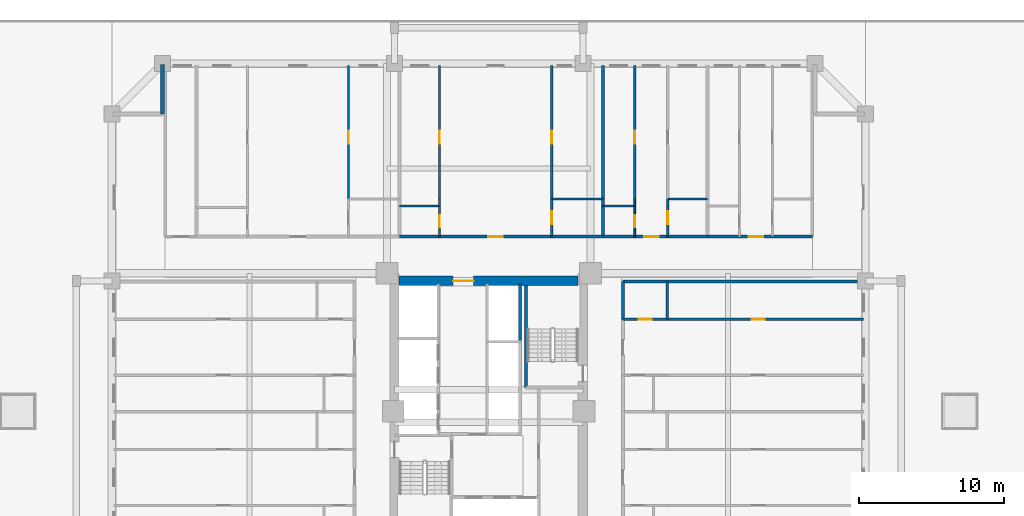
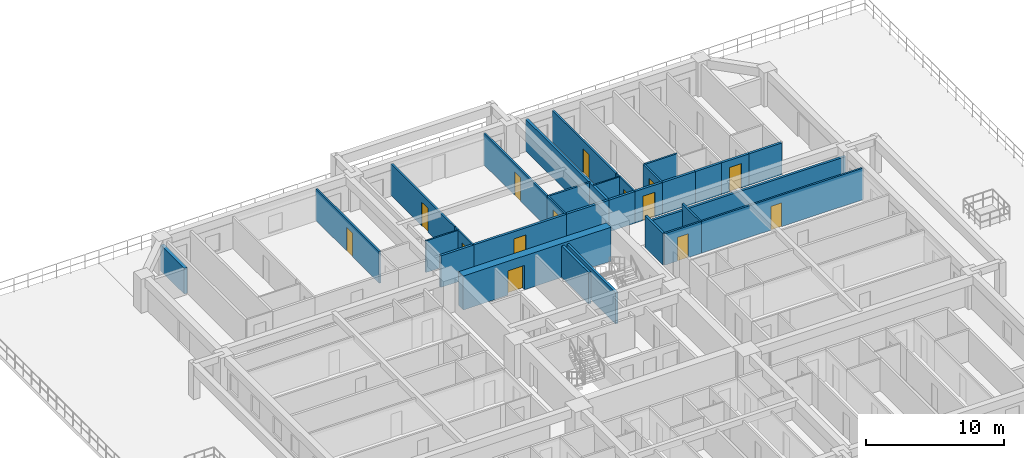
# One storey, part 8 of 19: 33 walls, 14 doors, 14 openings.
"""IFC4 building model written with IfcOpenShell, lengths in metres."""

from ifc_helpers import new_model, si_unit, direction, frame, frame_2d, origin, place, context, subcontext, project, spatial, rectangle, extrude, source, transform, mapped, material, layer, layer_set, type_object, element, fill, save


model = new_model("IFC4")

# Units and contexts
model_context = context("Model", 3, precision=1e-05, world=origin(), true_north=direction((0.0, 1.0)))
body_context = subcontext(model_context, "Body", "Model", "MODEL_VIEW")
ifc_project = project(units=[si_unit("LENGTHUNIT", "METRE"), si_unit("AREAUNIT", "SQUARE_METRE"), si_unit("VOLUMEUNIT", "CUBIC_METRE"), si_unit("PLANEANGLEUNIT", "RADIAN"), si_unit("MASSUNIT", "GRAM", prefix="KILO")], contexts=[model_context])

# Site, building, storey
site_placement = place(None, origin())
site = spatial("IfcSite", under=ifc_project, at=site_placement, CompositionType="ELEMENT")
building_placement = place(site_placement, origin())
building = spatial("IfcBuilding", under=site, at=building_placement, Name="Saelheon Loggia Tower", CompositionType="ELEMENT")
storey_placement = place(building_placement, frame((0.0, 0.0, 19.39990234375)))
storey = spatial("IfcBuildingStorey", under=building, at=storey_placement, Name="L05", CompositionType="ELEMENT", Elevation=19.39990234375)

# Wall, opening, door
ifc_material_1 = material(Name="Concrete C60/75", Category="concrete")
ifc_layer_1 = layer(ifc_material_1, 0.64990234375)
ifc_layer_set_1 = layer_set([ifc_layer_1], Name="Concrete C60/75")
wall_type_1 = type_object("IfcWallType", Name="Wall_CoreShear_650", PredefinedType="SHEAR", material=ifc_layer_set_1)
wall_1_placement = place(storey_placement, frame((31.824951171875, 36.0, 0.0), z_axis=(0.0, 0.0, 1.0), x_axis=(1.0, 0.0, 0.0)))
wall_1 = element("IfcWall", 1, at=wall_1_placement, inside=storey, type_object=wall_type_1, Name="L05 Core Shear Wall North", PredefinedType="SHEAR", context=body_context, shape_type="SweptSolid", body=[
    extrude(rectangle(XDim=12.35009765625, YDim=0.64990234375, at=frame_2d((6.175048828125, 0.0))), origin(), (0.0, 0.0, 1.0), 3.0),
])
opening_1_placement = place(wall_1_placement, frame((5.125, 0.0, 0.0), z_axis=(0.0, 0.0, 1.0), x_axis=(-1.0, 0.0, 0.0)))
opening_1 = element("IfcOpeningElement", 2, at=opening_1_placement, cuts=wall_1, Name="Opening D-FD2L", PredefinedType="OPENING", context=body_context, shape_type="SweptSolid", body=[
    extrude(rectangle(XDim=1.39990234375, YDim=2.14990234375, at=frame_2d((0.699951171875, 1.074951171875))), frame((0.0, 0.3369140625, 0.0), z_axis=(0.0, -1.0, 0.0), x_axis=(1.0, 0.0, 0.0)), (0.0, 0.0, 1.0), 0.673828125),
])
ifc_material_2 = material(Name="Galvanised Steel Glazed Lobby Fire Door", Category="steel")
door_type_1 = type_object("IfcDoorType", Name="Door_Fire_FD60_1400", OperationType="NOTDEFINED", PredefinedType="DOOR", material=ifc_material_2)
shared_shape_1 = source(origin(), body_context, "Body", "SweptSolid", [
    extrude(rectangle(XDim=1.39990234375, YDim=2.14990234375, at=frame_2d((0.699951171875, 1.074951171875))), frame((0.0, 0.02490234375, 0.0), z_axis=(0.0, -1.0, 0.0), x_axis=(1.0, 0.0, 0.0)), (0.0, 0.0, 1.0), 0.050048828125),
])
door_1_placement = place(opening_1_placement, origin())
door_1 = element("IfcDoor", 3, at=door_1_placement, inside=storey, type_object=door_type_1, Name="L05 Passenger Lift Lobby Main Door", OperationType="SINGLE_SWING_RIGHT", OverallHeight=2.14990234375, OverallWidth=1.39990234375, PredefinedType="DOOR", context=body_context, shape_type="MappedRepresentation", body=[
    mapped(shared_shape_1, transform((0.0, 0.0, 0.0), scale=1.0)),
])
fill(opening_1, door_1)

# Wall
ifc_material_3 = material(Name="Architectural Precast Concrete C40/50", Category="concrete")
ifc_layer_2 = layer(ifc_material_3, 0.280029296875)
ifc_layer_set_2 = layer_set([ifc_layer_2], Name="Architectural Precast Concrete C40/50")
wall_type_2 = type_object("IfcWallType", Name="Wall_Ext_Loggia_280", PredefinedType="SOLIDWALL", material=ifc_layer_set_2)
wall_2_placement = place(storey_placement, frame((15.5, 47.5, 0.0), z_axis=(0.0, 0.0, 1.0), x_axis=(0.0, 1.0, 0.0)))
element("IfcWall", 4, at=wall_2_placement, inside=storey, type_object=wall_type_2, Name="L05 Corner Notch Precast Wall NW1", PredefinedType="SOLIDWALL", context=body_context, shape_type="SweptSolid", body=[
    extrude(rectangle(XDim=3.419921875, YDim=0.280029296875, at=frame_2d((1.7099609375, 0.0))), origin(), (0.0, 0.0, 1.0), 2.280029296875),
])

# Wall, opening, door
ifc_material_4 = material(Name="Lightweight Autoclaved Aerated Concrete Block and Acoustic Gypsum", Category="concrete")
ifc_layer_3 = layer(ifc_material_4, 0.14990234375)
ifc_layer_set_3 = layer_set([ifc_layer_3], Name="Lightweight Autoclaved Aerated Concrete Block and Acoustic Gypsum")
wall_type_3 = type_object("IfcWallType", Name="Wall_Part_150", PredefinedType="PARTITIONING", material=ifc_layer_set_3)
wall_3_placement = place(storey_placement, frame((28.322998046875, 41.639892578125, 0.0), z_axis=(0.0, 0.0, 1.0), x_axis=(0.0, 1.0, 0.0)))
wall_3 = element("IfcWall", 5, at=wall_3_placement, inside=storey, type_object=wall_type_3, Name="L05 N Partition U14", PredefinedType="PARTITIONING", context=body_context, shape_type="SweptSolid", body=[
    extrude(rectangle(XDim=9.210205078125, YDim=0.14990234375, at=frame_2d((4.60498046875, 0.0))), origin(), (0.0, 0.0, 1.0), 2.7900390625),
])
opening_2_placement = place(wall_3_placement, frame((3.82861328125, 0.0, 0.0)))
opening_2 = element("IfcOpeningElement", 6, at=opening_2_placement, cuts=wall_3, Name="Opening D-IN2", PredefinedType="OPENING", context=body_context, shape_type="SweptSolid", body=[
    extrude(rectangle(XDim=0.89990234375, YDim=2.10009765625, at=frame_2d((0.449951171875, 1.050048828125))), frame((0.0, 0.0869140625, 0.0), z_axis=(0.0, -1.0, 0.0), x_axis=(1.0, 0.0, 0.0)), (0.0, 0.0, 1.0), 0.173828125),
])
ifc_material_5 = material(Name="Engineered Oak Flush Door", Category="timber")
door_type_2 = type_object("IfcDoorType", Name="Door_Int_900", OperationType="NOTDEFINED", PredefinedType="DOOR", material=ifc_material_5)
shared_shape_2 = source(origin(), body_context, "Body", "SweptSolid", [
    extrude(rectangle(XDim=0.89990234375, YDim=2.10009765625, at=frame_2d((0.449951171875, 1.050048828125))), frame((0.0, 0.02490234375, 0.0), z_axis=(0.0, -1.0, 0.0), x_axis=(1.0, 0.0, 0.0)), (0.0, 0.0, 1.0), 0.050048828125),
])
door_2_placement = place(opening_2_placement, origin())
door_2 = element("IfcDoor", 7, at=door_2_placement, inside=storey, type_object=door_type_2, Name="Unit U07 Bedroom 1 Door", OperationType="SINGLE_SWING_RIGHT", OverallHeight=2.10009765625, OverallWidth=0.89990234375, PredefinedType="DOOR", context=body_context, shape_type="MappedRepresentation", body=[
    mapped(shared_shape_2, transform((0.0, 0.0, 0.0), scale=1.0)),
])
fill(opening_2, door_2)

# Wall
wall_4_placement = place(storey_placement, frame((42.344482421875, 41.639892578125, 0.0), z_axis=(0.0, 0.0, 1.0), x_axis=(1.0, 0.0, 0.0)))
element("IfcWall", 8, at=wall_4_placement, inside=storey, type_object=wall_type_3, Name="L05 N Partition V20", PredefinedType="PARTITIONING", context=body_context, shape_type="SweptSolid", body=[
    extrude(rectangle(XDim=3.52880859375, YDim=0.14990234375, at=frame_2d((1.764404296875, 0.0))), origin(), (0.0, 0.0, 1.0), 2.7900390625),
])

# Wall, opening, door
wall_5_placement = place(storey_placement, frame((34.601806640625, 41.639892578125, 0.0), z_axis=(0.0, 0.0, 1.0), x_axis=(0.0, 1.0, 0.0)))
wall_5 = element("IfcWall", 9, at=wall_5_placement, inside=storey, type_object=wall_type_3, Name="L05 N Partition U23", PredefinedType="PARTITIONING", context=body_context, shape_type="SweptSolid", body=[
    extrude(rectangle(XDim=9.210205078125, YDim=0.14990234375, at=frame_2d((4.60498046875, 0.0))), origin(), (0.0, 0.0, 1.0), 2.7900390625),
])
opening_3_placement = place(wall_5_placement, frame((3.82861328125, 0.0, 0.0)))
opening_3 = element("IfcOpeningElement", 10, at=opening_3_placement, cuts=wall_5, Name="Opening D-IN2", PredefinedType="OPENING", context=body_context, shape_type="SweptSolid", body=[
    extrude(rectangle(XDim=0.89990234375, YDim=2.10009765625, at=frame_2d((0.449951171875, 1.050048828125))), frame((0.0, 0.0869140625, 0.0), z_axis=(0.0, -1.0, 0.0), x_axis=(1.0, 0.0, 0.0)), (0.0, 0.0, 1.0), 0.173828125),
])
door_3_placement = place(opening_3_placement, origin())
door_3 = element("IfcDoor", 11, at=door_3_placement, inside=storey, type_object=door_type_2, Name="Unit U08 Kitchen Door", OperationType="SINGLE_SWING_LEFT", OverallHeight=2.10009765625, OverallWidth=0.89990234375, PredefinedType="DOOR", context=body_context, shape_type="MappedRepresentation", body=[
    mapped(shared_shape_2, transform((0.0, 0.0, 0.0), scale=1.0)),
])
fill(opening_3, door_3)

wall_6_placement = place(storey_placement, frame((42.344482421875, 39.050048828125, 0.0), z_axis=(0.0, 0.0, 1.0), x_axis=(0.0, 1.0, 0.0)))
wall_6 = element("IfcWall", 12, at=wall_6_placement, inside=storey, type_object=wall_type_3, Name="L05 N Partition U24", PredefinedType="PARTITIONING", context=body_context, shape_type="SweptSolid", body=[
    extrude(rectangle(XDim=2.58984375, YDim=0.14990234375, at=frame_2d((1.294921875, 0.0))), origin(), (0.0, 0.0, 1.0), 2.7900390625),
])
opening_4_placement = place(wall_6_placement, frame((0.844970703125, 0.0, 0.0)))
opening_4 = element("IfcOpeningElement", 13, at=opening_4_placement, cuts=wall_6, Name="Opening D-IN2", PredefinedType="OPENING", context=body_context, shape_type="SweptSolid", body=[
    extrude(rectangle(XDim=0.89990234375, YDim=2.10009765625, at=frame_2d((0.449951171875, 1.050048828125))), frame((0.0, 0.0869140625, 0.0), z_axis=(0.0, -1.0, 0.0), x_axis=(1.0, 0.0, 0.0)), (0.0, 0.0, 1.0), 0.173828125),
])
door_4_placement = place(opening_4_placement, origin())
door_4 = element("IfcDoor", 14, at=door_4_placement, inside=storey, type_object=door_type_2, Name="Unit U08 Dressing Closet Door", OperationType="SINGLE_SWING_RIGHT", OverallHeight=2.10009765625, OverallWidth=0.89990234375, PredefinedType="DOOR", context=body_context, shape_type="MappedRepresentation", body=[
    mapped(shared_shape_2, transform((0.0, 0.0, 0.0), scale=1.0)),
])
fill(opening_4, door_4)

wall_7_placement = place(storey_placement, frame((42.344482421875, 41.639892578125, 0.0), z_axis=(0.0, 0.0, 1.0), x_axis=(0.0, 1.0, 0.0)))
wall_7 = element("IfcWall", 15, at=wall_7_placement, inside=storey, type_object=wall_type_3, Name="L05 N Partition U25", PredefinedType="PARTITIONING", context=body_context, shape_type="SweptSolid", body=[
    extrude(rectangle(XDim=9.210205078125, YDim=0.14990234375, at=frame_2d((4.60498046875, 0.0))), origin(), (0.0, 0.0, 1.0), 2.7900390625),
])
opening_5_placement = place(wall_7_placement, frame((3.82861328125, 0.0, 0.0)))
opening_5 = element("IfcOpeningElement", 16, at=opening_5_placement, cuts=wall_7, Name="Opening D-IN2", PredefinedType="OPENING", context=body_context, shape_type="SweptSolid", body=[
    extrude(rectangle(XDim=0.89990234375, YDim=2.10009765625, at=frame_2d((0.449951171875, 1.050048828125))), frame((0.0, 0.0869140625, 0.0), z_axis=(0.0, -1.0, 0.0), x_axis=(1.0, 0.0, 0.0)), (0.0, 0.0, 1.0), 0.173828125),
])
door_5_placement = place(opening_5_placement, origin())
door_5 = element("IfcDoor", 17, at=door_5_placement, inside=storey, type_object=door_type_2, Name="Unit U08 Bedroom 1 Door", OperationType="SINGLE_SWING_LEFT", OverallHeight=2.10009765625, OverallWidth=0.89990234375, PredefinedType="DOOR", context=body_context, shape_type="MappedRepresentation", body=[
    mapped(shared_shape_2, transform((0.0, 0.0, 0.0), scale=1.0)),
])
fill(opening_5, door_5)

# Wall
wall_8_placement = place(storey_placement, frame((50.351806640625, 41.639892578125, 0.0), z_axis=(0.0, 0.0, 1.0), x_axis=(1.0, 0.0, 0.0)))
element("IfcWall", 18, at=wall_8_placement, inside=storey, type_object=wall_type_3, Name="L05 N Partition V31", PredefinedType="PARTITIONING", context=body_context, shape_type="SweptSolid", body=[
    extrude(rectangle(XDim=2.744873046875, YDim=0.14990234375, at=frame_2d((1.37255859375, 0.0))), origin(), (0.0, 0.0, 1.0), 2.7900390625),
])

# Wall, opening, door
wall_9_placement = place(storey_placement, frame((48.073486328125, 41.639892578125, 0.0), z_axis=(0.0, 0.0, 1.0), x_axis=(0.0, 1.0, 0.0)))
wall_9 = element("IfcWall", 19, at=wall_9_placement, inside=storey, type_object=wall_type_3, Name="L05 N Partition U34", PredefinedType="PARTITIONING", context=body_context, shape_type="SweptSolid", body=[
    extrude(rectangle(XDim=9.210205078125, YDim=0.14990234375, at=frame_2d((4.60498046875, 0.0))), origin(), (0.0, 0.0, 1.0), 2.7900390625),
])
opening_6_placement = place(wall_9_placement, frame((3.82861328125, 0.0, 0.0)))
opening_6 = element("IfcOpeningElement", 20, at=opening_6_placement, cuts=wall_9, Name="Opening D-IN2", PredefinedType="OPENING", context=body_context, shape_type="SweptSolid", body=[
    extrude(rectangle(XDim=0.89990234375, YDim=2.10009765625, at=frame_2d((0.449951171875, 1.050048828125))), frame((0.0, 0.0869140625, 0.0), z_axis=(0.0, -1.0, 0.0), x_axis=(1.0, 0.0, 0.0)), (0.0, 0.0, 1.0), 0.173828125),
])
door_6_placement = place(opening_6_placement, origin())
door_6 = element("IfcDoor", 21, at=door_6_placement, inside=storey, type_object=door_type_2, Name="Unit U09 Kitchen Door", OperationType="SINGLE_SWING_RIGHT", OverallHeight=2.10009765625, OverallWidth=0.89990234375, PredefinedType="DOOR", context=body_context, shape_type="MappedRepresentation", body=[
    mapped(shared_shape_2, transform((0.0, 0.0, 0.0), scale=1.0)),
])
fill(opening_6, door_6)

wall_10_placement = place(storey_placement, frame((50.351806640625, 39.050048828125, 0.0), z_axis=(0.0, 0.0, 1.0), x_axis=(0.0, 1.0, 0.0)))
wall_10 = element("IfcWall", 22, at=wall_10_placement, inside=storey, type_object=wall_type_3, Name="L05 N Partition U35", PredefinedType="PARTITIONING", context=body_context, shape_type="SweptSolid", body=[
    extrude(rectangle(XDim=2.58984375, YDim=0.14990234375, at=frame_2d((1.294921875, 0.0))), origin(), (0.0, 0.0, 1.0), 2.7900390625),
])
opening_7_placement = place(wall_10_placement, frame((0.844970703125, 0.0, 0.0)))
opening_7 = element("IfcOpeningElement", 23, at=opening_7_placement, cuts=wall_10, Name="Opening D-IN2", PredefinedType="OPENING", context=body_context, shape_type="SweptSolid", body=[
    extrude(rectangle(XDim=0.89990234375, YDim=2.10009765625, at=frame_2d((0.449951171875, 1.050048828125))), frame((0.0, 0.0869140625, 0.0), z_axis=(0.0, -1.0, 0.0), x_axis=(1.0, 0.0, 0.0)), (0.0, 0.0, 1.0), 0.173828125),
])
door_7_placement = place(opening_7_placement, origin())
door_7 = element("IfcDoor", 24, at=door_7_placement, inside=storey, type_object=door_type_2, Name="Unit U09 Dressing Closet Door", OperationType="SINGLE_SWING_LEFT", OverallHeight=2.10009765625, OverallWidth=0.89990234375, PredefinedType="DOOR", context=body_context, shape_type="MappedRepresentation", body=[
    mapped(shared_shape_2, transform((0.0, 0.0, 0.0), scale=1.0)),
])
fill(opening_7, door_7)

# Wall
wall_11_placement = place(storey_placement, frame((50.320068359375, 33.35009765625, 0.0), z_axis=(0.0, 0.0, 1.0), x_axis=(0.0, 1.0, 0.0)))
element("IfcWall", 25, at=wall_11_placement, inside=storey, type_object=wall_type_3, Name="L05 E Partition V18", PredefinedType="PARTITIONING", context=body_context, shape_type="SweptSolid", body=[
    extrude(rectangle(XDim=2.599853515625, YDim=0.14990234375, at=frame_2d((1.2998046875, 0.0))), origin(), (0.0, 0.0, 1.0), 2.7900390625),
])

# Wall, opening, door
wall_12_placement = place(storey_placement, frame((47.25, 33.35009765625, 0.0), z_axis=(0.0, 0.0, 1.0), x_axis=(1.0, 0.0, 0.0)))
wall_12 = element("IfcWall", 26, at=wall_12_placement, inside=storey, type_object=wall_type_3, Name="L05 E Partition U22", PredefinedType="PARTITIONING", context=body_context, shape_type="SweptSolid", body=[
    extrude(rectangle(XDim=3.070068359375, YDim=0.14990234375, at=frame_2d((1.53515625, 0.0))), origin(), (0.0, 0.0, 1.0), 2.7900390625),
])
opening_8_placement = place(wall_12_placement, frame((1.0849609375, 0.0, 0.0)))
opening_8 = element("IfcOpeningElement", 27, at=opening_8_placement, cuts=wall_12, Name="Opening D-IN2", PredefinedType="OPENING", context=body_context, shape_type="SweptSolid", body=[
    extrude(rectangle(XDim=0.89990234375, YDim=2.10009765625, at=frame_2d((0.449951171875, 1.050048828125))), frame((0.0, 0.0869140625, 0.0), z_axis=(0.0, -1.0, 0.0), x_axis=(1.0, 0.0, 0.0)), (0.0, 0.0, 1.0), 0.173828125),
])
door_8_placement = place(opening_8_placement, origin())
door_8 = element("IfcDoor", 28, at=door_8_placement, inside=storey, type_object=door_type_2, Name="Unit U14 Dressing Closet Door", OperationType="SINGLE_SWING_RIGHT", OverallHeight=2.10009765625, OverallWidth=0.89990234375, PredefinedType="DOOR", context=body_context, shape_type="MappedRepresentation", body=[
    mapped(shared_shape_2, transform((0.0, 0.0, 0.0), scale=1.0)),
])
fill(opening_8, door_8)

wall_13_placement = place(storey_placement, frame((50.320068359375, 33.35009765625, 0.0), z_axis=(0.0, 0.0, 1.0), x_axis=(1.0, 0.0, 0.0)))
wall_13 = element("IfcWall", 29, at=wall_13_placement, inside=storey, type_object=wall_type_3, Name="L05 E Partition U23", PredefinedType="PARTITIONING", context=body_context, shape_type="SweptSolid", body=[
    extrude(rectangle(XDim=13.530029296875, YDim=0.14990234375, at=frame_2d((6.76513671875, 0.0))), origin(), (0.0, 0.0, 1.0), 2.7900390625),
])
opening_9_placement = place(wall_13_placement, frame((5.808837890625, 0.0, 0.0)))
opening_9 = element("IfcOpeningElement", 30, at=opening_9_placement, cuts=wall_13, Name="Opening D-IN2", PredefinedType="OPENING", context=body_context, shape_type="SweptSolid", body=[
    extrude(rectangle(XDim=0.89990234375, YDim=2.10009765625, at=frame_2d((0.449951171875, 1.050048828125))), frame((0.0, 0.0869140625, 0.0), z_axis=(0.0, -1.0, 0.0), x_axis=(1.0, 0.0, 0.0)), (0.0, 0.0, 1.0), 0.173828125),
])
door_9_placement = place(opening_9_placement, origin())
door_9 = element("IfcDoor", 31, at=door_9_placement, inside=storey, type_object=door_type_2, Name="Unit U14 Bedroom 1 Door", OperationType="SINGLE_SWING_LEFT", OverallHeight=2.10009765625, OverallWidth=0.89990234375, PredefinedType="DOOR", context=body_context, shape_type="MappedRepresentation", body=[
    mapped(shared_shape_2, transform((0.0, 0.0, 0.0), scale=1.0)),
])
fill(opening_9, door_9)

# Wall
ifc_material_6 = material(Name="Double Acoustic Stud and Fireboard Partition", Category="gypsum")
ifc_layer_4 = layer(ifc_material_6, 0.199951171875)
ifc_layer_set_4 = layer_set([ifc_layer_4], Name="Double Acoustic Stud and Fireboard Partition")
wall_type_4 = type_object("IfcWallType", Name="Wall_Party_200", PredefinedType="PARTITIONING", material=ifc_layer_set_4)
wall_14_placement = place(storey_placement, frame((31.851806640625, 39.050048828125, 0.0), z_axis=(0.0, 0.0, 1.0), x_axis=(1.0, 0.0, 0.0)))
element("IfcWall", 32, at=wall_14_placement, inside=storey, type_object=wall_type_4, Name="L05 N Partition V16", PredefinedType="PARTITIONING", context=body_context, shape_type="SweptSolid", body=[
    extrude(rectangle(XDim=2.75, YDim=0.199951171875, at=frame_2d((1.375, 0.0))), origin(), (0.0, 0.0, 1.0), 2.7900390625),
])

# Wall, opening, door
wall_15_placement = place(storey_placement, frame((34.601806640625, 39.050048828125, 0.0), z_axis=(0.0, 0.0, 1.0), x_axis=(1.0, 0.0, 0.0)))
wall_15 = element("IfcWall", 33, at=wall_15_placement, inside=storey, type_object=wall_type_4, Name="L05 N Partition V17", PredefinedType="PARTITIONING", context=body_context, shape_type="SweptSolid", body=[
    extrude(rectangle(XDim=7.74267578125, YDim=0.199951171875, at=frame_2d((3.871337890625, 0.0))), origin(), (0.0, 0.0, 1.0), 2.7900390625),
])
opening_10_placement = place(wall_15_placement, frame((3.371337890625, 0.0, 0.0)))
opening_10 = element("IfcOpeningElement", 34, at=opening_10_placement, cuts=wall_15, Name="Opening D-FD1", PredefinedType="OPENING", context=body_context, shape_type="SweptSolid", body=[
    extrude(rectangle(XDim=1.0, YDim=2.14990234375, at=frame_2d((0.5, 1.074951171875))), frame((0.0, 0.112060546875, 0.0), z_axis=(0.0, -1.0, 0.0), x_axis=(1.0, 0.0, 0.0)), (0.0, 0.0, 1.0), 0.223876953125),
])
ifc_material_7 = material(Name="Fire-Rated Engineered Timber Entrance Door", Category="wood")
door_type_3 = type_object("IfcDoorType", Name="Door_Flat_FD30S", OperationType="NOTDEFINED", PredefinedType="DOOR", material=ifc_material_7)
shared_shape_3 = source(origin(), body_context, "Body", "SweptSolid", [
    extrude(rectangle(XDim=1.0, YDim=2.14990234375, at=frame_2d((0.5, 1.074951171875))), frame((0.0, 0.02490234375, 0.0), z_axis=(0.0, -1.0, 0.0), x_axis=(1.0, 0.0, 0.0)), (0.0, 0.0, 1.0), 0.050048828125),
])
door_10_placement = place(opening_10_placement, origin())
door_10 = element("IfcDoor", 35, at=door_10_placement, inside=storey, type_object=door_type_3, Name="Unit U08 Entrance Door", OperationType="SINGLE_SWING_LEFT", OverallHeight=2.14990234375, OverallWidth=1.0, PredefinedType="DOOR", context=body_context, shape_type="MappedRepresentation", body=[
    mapped(shared_shape_3, transform((0.0, 0.0, 0.0), scale=1.0)),
])
fill(opening_10, door_10)

# Walls
wall_16_placement = place(storey_placement, frame((42.344482421875, 39.050048828125, 0.0), z_axis=(0.0, 0.0, 1.0), x_axis=(1.0, 0.0, 0.0)))
element("IfcWall", 36, at=wall_16_placement, inside=storey, type_object=wall_type_4, Name="L05 N Partition V18", PredefinedType="PARTITIONING", context=body_context, shape_type="SweptSolid", body=[
    extrude(rectangle(XDim=3.52880859375, YDim=0.199951171875, at=frame_2d((1.764404296875, 0.0))), origin(), (0.0, 0.0, 1.0), 2.7900390625),
])
wall_17_placement = place(storey_placement, frame((45.873291015625, 39.050048828125, 0.0), z_axis=(0.0, 0.0, 1.0), x_axis=(0.0, 1.0, 0.0)))
element("IfcWall", 37, at=wall_17_placement, inside=storey, type_object=wall_type_4, Name="L05 N Partition U26", PredefinedType="PARTITIONING", context=body_context, shape_type="SweptSolid", body=[
    extrude(rectangle(XDim=11.800048828125, YDim=0.199951171875, at=frame_2d((5.89990234375, 0.0))), origin(), (0.0, 0.0, 1.0), 2.7900390625),
])
wall_18_placement = place(storey_placement, frame((45.873291015625, 39.050048828125, 0.0), z_axis=(0.0, 0.0, 1.0), x_axis=(1.0, 0.0, 0.0)))
element("IfcWall", 38, at=wall_18_placement, inside=storey, type_object=wall_type_4, Name="L05 N Partition V27", PredefinedType="PARTITIONING", context=body_context, shape_type="SweptSolid", body=[
    extrude(rectangle(XDim=2.2001953125, YDim=0.199951171875, at=frame_2d((1.10009765625, 0.0))), origin(), (0.0, 0.0, 1.0), 2.7900390625),
])

# Wall, opening, door
wall_19_placement = place(storey_placement, frame((48.073486328125, 39.050048828125, 0.0), z_axis=(0.0, 0.0, 1.0), x_axis=(1.0, 0.0, 0.0)))
wall_19 = element("IfcWall", 39, at=wall_19_placement, inside=storey, type_object=wall_type_4, Name="L05 N Partition V28", PredefinedType="PARTITIONING", context=body_context, shape_type="SweptSolid", body=[
    extrude(rectangle(XDim=2.2783203125, YDim=0.199951171875, at=frame_2d((1.13916015625, 0.0))), origin(), (0.0, 0.0, 1.0), 2.7900390625),
])
opening_11_placement = place(wall_19_placement, frame((0.63916015625, 0.0, 0.0)))
opening_11 = element("IfcOpeningElement", 40, at=opening_11_placement, cuts=wall_19, Name="Opening D-FD1", PredefinedType="OPENING", context=body_context, shape_type="SweptSolid", body=[
    extrude(rectangle(XDim=1.0, YDim=2.14990234375, at=frame_2d((0.5, 1.074951171875))), frame((0.0, 0.112060546875, 0.0), z_axis=(0.0, -1.0, 0.0), x_axis=(1.0, 0.0, 0.0)), (0.0, 0.0, 1.0), 0.223876953125),
])
door_11_placement = place(opening_11_placement, origin())
door_11 = element("IfcDoor", 41, at=door_11_placement, inside=storey, type_object=door_type_3, Name="Unit U09 Entrance Door", OperationType="SINGLE_SWING_RIGHT", OverallHeight=2.14990234375, OverallWidth=1.0, PredefinedType="DOOR", context=body_context, shape_type="MappedRepresentation", body=[
    mapped(shared_shape_3, transform((0.0, 0.0, 0.0), scale=1.0)),
])
fill(opening_11, door_11)

# Walls
wall_20_placement = place(storey_placement, frame((50.351806640625, 39.050048828125, 0.0), z_axis=(0.0, 0.0, 1.0), x_axis=(1.0, 0.0, 0.0)))
element("IfcWall", 42, at=wall_20_placement, inside=storey, type_object=wall_type_4, Name="L05 N Partition V29", PredefinedType="PARTITIONING", context=body_context, shape_type="SweptSolid", body=[
    extrude(rectangle(XDim=2.744873046875, YDim=0.199951171875, at=frame_2d((1.37255859375, 0.0))), origin(), (0.0, 0.0, 1.0), 2.7900390625),
])
wall_21_placement = place(storey_placement, frame((53.0966796875, 39.050048828125, 0.0), z_axis=(0.0, 0.0, 1.0), x_axis=(1.0, 0.0, 0.0)))
element("IfcWall", 43, at=wall_21_placement, inside=storey, type_object=wall_type_4, Name="L05 N Partition V38", PredefinedType="PARTITIONING", context=body_context, shape_type="SweptSolid", body=[
    extrude(rectangle(XDim=2.199951171875, YDim=0.199951171875, at=frame_2d((1.10009765625, 0.0))), origin(), (0.0, 0.0, 1.0), 2.7900390625),
])

# Wall, opening, door
wall_22_placement = place(storey_placement, frame((55.296630859375, 39.050048828125, 0.0), z_axis=(0.0, 0.0, 1.0), x_axis=(1.0, 0.0, 0.0)))
wall_22 = element("IfcWall", 44, at=wall_22_placement, inside=storey, type_object=wall_type_4, Name="L05 N Partition V39", PredefinedType="PARTITIONING", context=body_context, shape_type="SweptSolid", body=[
    extrude(rectangle(XDim=2.278564453125, YDim=0.199951171875, at=frame_2d((1.13916015625, 0.0))), origin(), (0.0, 0.0, 1.0), 2.7900390625),
])
opening_12_placement = place(wall_22_placement, frame((0.63916015625, 0.0, 0.0)))
opening_12 = element("IfcOpeningElement", 45, at=opening_12_placement, cuts=wall_22, Name="Opening D-FD1", PredefinedType="OPENING", context=body_context, shape_type="SweptSolid", body=[
    extrude(rectangle(XDim=1.0, YDim=2.14990234375, at=frame_2d((0.5, 1.074951171875))), frame((0.0, 0.112060546875, 0.0), z_axis=(0.0, -1.0, 0.0), x_axis=(1.0, 0.0, 0.0)), (0.0, 0.0, 1.0), 0.223876953125),
])
door_12_placement = place(opening_12_placement, origin())
door_12 = element("IfcDoor", 46, at=door_12_placement, inside=storey, type_object=door_type_3, Name="Unit U10 Entrance Door", OperationType="SINGLE_SWING_LEFT", OverallHeight=2.14990234375, OverallWidth=1.0, PredefinedType="DOOR", context=body_context, shape_type="MappedRepresentation", body=[
    mapped(shared_shape_3, transform((0.0, 0.0, 0.0), scale=1.0)),
])
fill(opening_12, door_12)

# Walls
wall_23_placement = place(storey_placement, frame((57.5751953125, 39.050048828125, 0.0), z_axis=(0.0, 0.0, 1.0), x_axis=(1.0, 0.0, 0.0)))
element("IfcWall", 47, at=wall_23_placement, inside=storey, type_object=wall_type_4, Name="L05 N Partition V40", PredefinedType="PARTITIONING", context=body_context, shape_type="SweptSolid", body=[
    extrude(rectangle(XDim=2.744873046875, YDim=0.199951171875, at=frame_2d((1.37255859375, 0.0))), origin(), (0.0, 0.0, 1.0), 2.7900390625),
])
wall_24_placement = place(storey_placement, frame((47.25, 35.949951171875, 0.0), z_axis=(0.0, 0.0, 1.0), x_axis=(1.0, 0.0, 0.0)))
element("IfcWall", 48, at=wall_24_placement, inside=storey, type_object=wall_type_4, Name="L05 E Partition U02", PredefinedType="PARTITIONING", context=body_context, shape_type="SweptSolid", body=[
    extrude(rectangle(XDim=16.60009765625, YDim=0.199951171875, at=frame_2d((8.300048828125, 0.0))), origin(), (0.0, 0.0, 1.0), 2.239990234375),
])
wall_25_placement = place(storey_placement, frame((47.25, 33.35009765625, 0.0), z_axis=(0.0, 0.0, 1.0), x_axis=(0.0, 1.0, 0.0)))
element("IfcWall", 49, at=wall_25_placement, inside=storey, type_object=wall_type_4, Name="L05 E Partition V16", PredefinedType="PARTITIONING", context=body_context, shape_type="SweptSolid", body=[
    extrude(rectangle(XDim=2.599853515625, YDim=0.199951171875, at=frame_2d((1.2998046875, 0.0))), origin(), (0.0, 0.0, 1.0), 2.7900390625),
])
ifc_material_8 = material(Name="Concrete C40/50", Category="concrete")
ifc_layer_5 = layer(ifc_material_8, 0.199951171875)
ifc_layer_set_5 = layer_set([ifc_layer_5], Name="Concrete C40/50")
wall_type_5 = type_object("IfcWallType", Name="Wall_Shaft_200", PredefinedType="PARTITIONING", material=ifc_layer_set_5)
wall_26_placement = place(storey_placement, frame((40.14990234375, 31.800048828125, 0.0), z_axis=(0.0, 0.0, 1.0), x_axis=(0.0, 1.0, 0.0)))
element("IfcWall", 50, at=wall_26_placement, inside=storey, type_object=wall_type_5, Name="L05 East High-Rise Hoistway East Wall", PredefinedType="PARTITIONING", context=body_context, shape_type="SweptSolid", body=[
    extrude(rectangle(XDim=3.97998046875, YDim=0.199951171875, at=frame_2d((1.989990234375, 0.0))), origin(), (0.0, 0.0, 1.0), 2.7900390625),
])
ifc_material_9 = material(Name="Concrete C45/55", Category="concrete")
ifc_layer_6 = layer(ifc_material_9, 0.199951171875)
ifc_layer_set_6 = layer_set([ifc_layer_6], Name="Concrete C45/55")
wall_type_6 = type_object("IfcWallType", Name="Wall_StairShaft_RC200", PredefinedType="SOLIDWALL", material=ifc_layer_set_6)
wall_27_placement = place(storey_placement, frame((40.570068359375, 28.64990234375, 0.0), z_axis=(0.0, 0.0, 1.0), x_axis=(0.0, 1.0, 0.0)))
element("IfcWall", 51, at=wall_27_placement, inside=storey, type_object=wall_type_6, Name="L05 Stair ST2 Shaft Wall", PredefinedType="SOLIDWALL", context=body_context, shape_type="SweptSolid", body=[
    extrude(rectangle(XDim=7.050048828125, YDim=0.199951171875, at=frame_2d((3.52490234375, 0.0))), origin(), (0.0, 0.0, 1.0), 2.7900390625),
])
ifc_material_10 = material(Name="Moisture-Resistant Cement Board Partition", Category="gypsum")
ifc_layer_7 = layer(ifc_material_10, 0.1201171875)
ifc_layer_set_7 = layer_set([ifc_layer_7], Name="Moisture-Resistant Cement Board Partition")
wall_type_7 = type_object("IfcWallType", Name="Wall_WetPart_120", PredefinedType="PARTITIONING", material=ifc_layer_set_7)
wall_28_placement = place(storey_placement, frame((31.851806640625, 41.169921875, 0.0), z_axis=(0.0, 0.0, 1.0), x_axis=(1.0, 0.0, 0.0)))
element("IfcWall", 52, at=wall_28_placement, inside=storey, type_object=wall_type_7, Name="L05 N Partition V19", PredefinedType="PARTITIONING", context=body_context, shape_type="SweptSolid", body=[
    extrude(rectangle(XDim=2.75, YDim=0.1201171875, at=frame_2d((1.375, 0.0))), origin(), (0.0, 0.0, 1.0), 2.7900390625),
])

# Wall, opening, door
wall_29_placement = place(storey_placement, frame((34.601806640625, 39.050048828125, 0.0), z_axis=(0.0, 0.0, 1.0), x_axis=(0.0, 1.0, 0.0)))
wall_29 = element("IfcWall", 53, at=wall_29_placement, inside=storey, type_object=wall_type_7, Name="L05 N Partition U21", PredefinedType="PARTITIONING", context=body_context, shape_type="SweptSolid", body=[
    extrude(rectangle(XDim=2.119873046875, YDim=0.1201171875, at=frame_2d((1.06005859375, 0.0))), origin(), (0.0, 0.0, 1.0), 2.7900390625),
])
opening_13_placement = place(wall_29_placement, frame((0.635009765625, 0.0, 0.0)))
opening_13 = element("IfcOpeningElement", 54, at=opening_13_placement, cuts=wall_29, Name="Opening D-BT1", PredefinedType="OPENING", context=body_context, shape_type="SweptSolid", body=[
    extrude(rectangle(XDim=0.85009765625, YDim=2.050048828125, at=frame_2d((0.425048828125, 1.02490234375))), frame((0.0, 0.072021484375, 0.0), z_axis=(0.0, -1.0, 0.0), x_axis=(1.0, 0.0, 0.0)), (0.0, 0.0, 1.0), 0.14404296875),
])
ifc_material_11 = material(Name="Moisture-Resistant Laminate Timber Door", Category="wood")
door_type_4 = type_object("IfcDoorType", Name="Door_Bath_850", OperationType="NOTDEFINED", PredefinedType="DOOR", material=ifc_material_11)
shared_shape_4 = source(origin(), body_context, "Body", "SweptSolid", [
    extrude(rectangle(XDim=0.85009765625, YDim=2.050048828125, at=frame_2d((0.425048828125, 1.02490234375))), frame((0.0, 0.02490234375, 0.0), z_axis=(0.0, -1.0, 0.0), x_axis=(1.0, 0.0, 0.0)), (0.0, 0.0, 1.0), 0.050048828125),
])
door_13_placement = place(opening_13_placement, origin())
door_13 = element("IfcDoor", 55, at=door_13_placement, inside=storey, type_object=door_type_4, Name="Unit U08 Bathroom Door", OperationType="SINGLE_SWING_RIGHT", OverallHeight=2.050048828125, OverallWidth=0.85009765625, PredefinedType="DOOR", context=body_context, shape_type="MappedRepresentation", body=[
    mapped(shared_shape_4, transform((0.0, 0.0, 0.0), scale=1.0)),
])
fill(opening_13, door_13)

# Walls
wall_30_placement = place(storey_placement, frame((34.601806640625, 41.169921875, 0.0), z_axis=(0.0, 0.0, 1.0), x_axis=(0.0, 1.0, 0.0)))
element("IfcWall", 56, at=wall_30_placement, inside=storey, type_object=wall_type_7, Name="L05 N Partition U22", PredefinedType="PARTITIONING", context=body_context, shape_type="SweptSolid", body=[
    extrude(rectangle(XDim=0.469970703125, YDim=0.1201171875, at=frame_2d((0.23486328125, 0.0))), origin(), (0.0, 0.0, 1.0), 2.7900390625),
])
wall_31_placement = place(storey_placement, frame((45.873291015625, 41.169921875, 0.0), z_axis=(0.0, 0.0, 1.0), x_axis=(1.0, 0.0, 0.0)))
element("IfcWall", 57, at=wall_31_placement, inside=storey, type_object=wall_type_7, Name="L05 N Partition V30", PredefinedType="PARTITIONING", context=body_context, shape_type="SweptSolid", body=[
    extrude(rectangle(XDim=2.2001953125, YDim=0.1201171875, at=frame_2d((1.10009765625, 0.0))), origin(), (0.0, 0.0, 1.0), 2.7900390625),
])

# Wall, opening, door
wall_32_placement = place(storey_placement, frame((48.073486328125, 39.050048828125, 0.0), z_axis=(0.0, 0.0, 1.0), x_axis=(0.0, 1.0, 0.0)))
wall_32 = element("IfcWall", 58, at=wall_32_placement, inside=storey, type_object=wall_type_7, Name="L05 N Partition U32", PredefinedType="PARTITIONING", context=body_context, shape_type="SweptSolid", body=[
    extrude(rectangle(XDim=2.119873046875, YDim=0.1201171875, at=frame_2d((1.06005859375, 0.0))), origin(), (0.0, 0.0, 1.0), 2.7900390625),
])
opening_14_placement = place(wall_32_placement, frame((0.635009765625, 0.0, 0.0)))
opening_14 = element("IfcOpeningElement", 59, at=opening_14_placement, cuts=wall_32, Name="Opening D-BT1", PredefinedType="OPENING", context=body_context, shape_type="SweptSolid", body=[
    extrude(rectangle(XDim=0.85009765625, YDim=2.050048828125, at=frame_2d((0.425048828125, 1.02490234375))), frame((0.0, 0.072021484375, 0.0), z_axis=(0.0, -1.0, 0.0), x_axis=(1.0, 0.0, 0.0)), (0.0, 0.0, 1.0), 0.14404296875),
])
door_14_placement = place(opening_14_placement, origin())
door_14 = element("IfcDoor", 60, at=door_14_placement, inside=storey, type_object=door_type_4, Name="Unit U09 Bathroom Door", OperationType="SINGLE_SWING_LEFT", OverallHeight=2.050048828125, OverallWidth=0.85009765625, PredefinedType="DOOR", context=body_context, shape_type="MappedRepresentation", body=[
    mapped(shared_shape_4, transform((0.0, 0.0, 0.0), scale=1.0)),
])
fill(opening_14, door_14)

# Wall
wall_33_placement = place(storey_placement, frame((48.073486328125, 41.169921875, 0.0), z_axis=(0.0, 0.0, 1.0), x_axis=(0.0, 1.0, 0.0)))
element("IfcWall", 61, at=wall_33_placement, inside=storey, type_object=wall_type_7, Name="L05 N Partition U33", PredefinedType="PARTITIONING", context=body_context, shape_type="SweptSolid", body=[
    extrude(rectangle(XDim=0.469970703125, YDim=0.1201171875, at=frame_2d((0.23486328125, 0.0))), origin(), (0.0, 0.0, 1.0), 2.7900390625),
])

save(model, "model.ifc")
